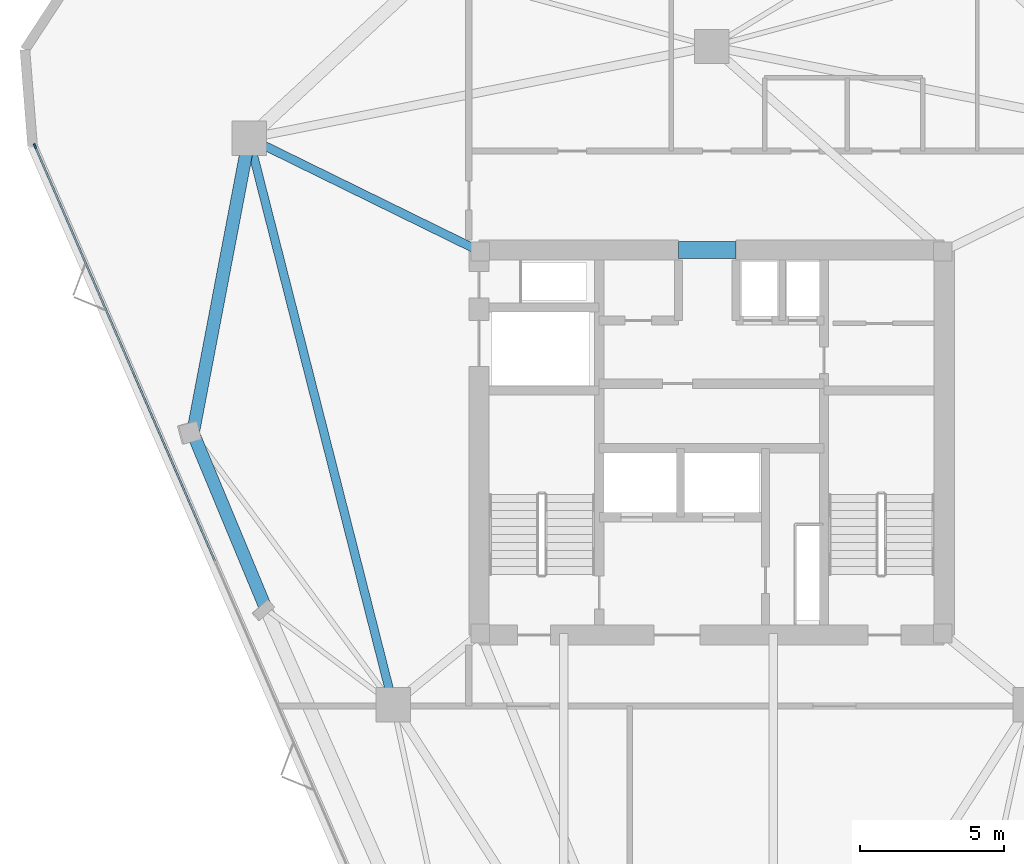
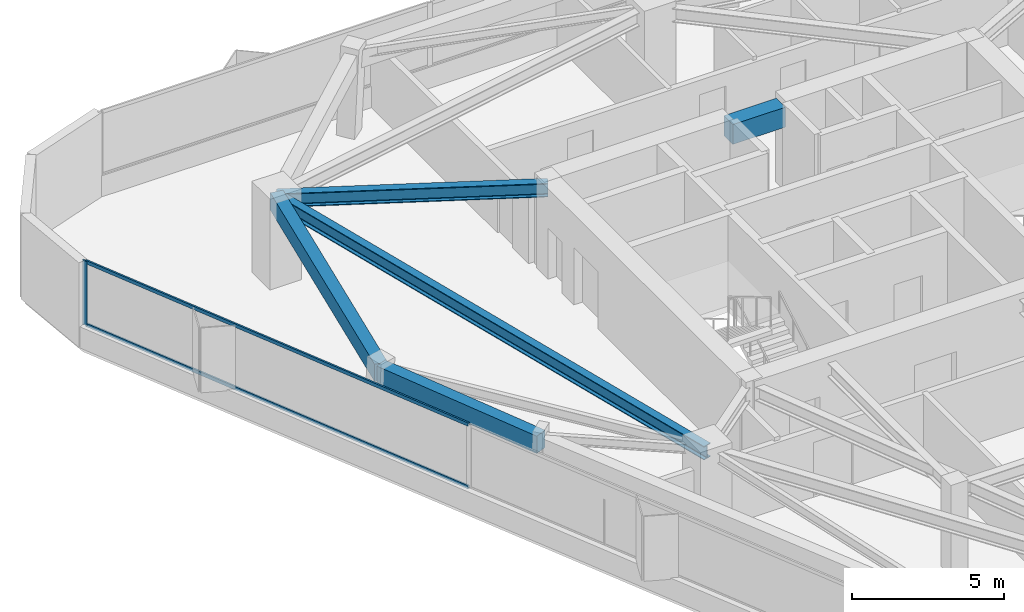
# One storey, part 5 of 11: 5 beams, 3 members, 1 element without a shape of its own.
"""IFC4 building model written with IfcOpenShell, lengths in metres."""

from ifc_helpers import new_model, si_unit, direction, frame, origin, origin_2d, place, context, subcontext, project, spatial, rectangle, i_section, extrude, material, layer, layer_set, material_profile, profile_set, type_object, element, aggregate, save


model = new_model("IFC4")

# Units and contexts
model_context = context("Model", 3, precision=1e-05, world=origin(), true_north=direction((0.0, 1.0)))
body_context = subcontext(model_context, "Body", "Model", "MODEL_VIEW")
ifc_project = project(units=[si_unit("LENGTHUNIT", "METRE"), si_unit("AREAUNIT", "SQUARE_METRE"), si_unit("VOLUMEUNIT", "CUBIC_METRE"), si_unit("PLANEANGLEUNIT", "RADIAN"), si_unit("MASSUNIT", "GRAM", prefix="KILO")], contexts=[model_context])

# Site, building, storey
site_placement = place(None, origin())
site = spatial("IfcSite", under=ifc_project, at=site_placement, CompositionType="ELEMENT")
building_placement = place(site_placement, origin())
building = spatial("IfcBuilding", under=site, at=building_placement, Name="Talyreon Biosciences Tower", CompositionType="ELEMENT")
storey_placement = place(building_placement, frame((0.0, 0.0, 235.25)))
storey = spatial("IfcBuildingStorey", under=building, at=storey_placement, Name="L62", CompositionType="ELEMENT", Elevation=235.25)

# Curtain wall, members
ifc_material_1 = material(Name="Thermally broken aluminium and low-E glazing", Category="aluminium")
ifc_layer = layer(ifc_material_1, 0.175048828125)
ifc_layer_set = layer_set([ifc_layer], Name="Thermally broken aluminium and low-E glazing")
curtain_wall_type = type_object("IfcCurtainWallType", Name="CurtainWall_Zone5CompLab", PredefinedType="NOTDEFINED", material=ifc_layer_set)
curtain_wall_placement = place(storey_placement, origin())
curtain_wall = element("IfcCurtainWall", 1, at=curtain_wall_placement, inside=storey, type_object=curtain_wall_type, Name="L62 Unitised Curtain Wall FCW-L62-00", PredefinedType="NOTDEFINED")
ifc_material_2 = material(Name="Anodised thermally broken aluminium", Category="aluminium")
ifc_material_profile_1 = material_profile(ifc_material_2, rectangle(XDim=0.06494140625, YDim=0.179931640625, at=origin_2d()), Name="ALUM MULLION 65x180")
ifc_profile_set_1 = profile_set([ifc_material_profile_1], Name="Anodised thermally broken aluminium")
member_type_1 = type_object("IfcMemberType", Name="CWMullion_65x180", PredefinedType="MULLION", material=ifc_profile_set_1)
member_1_placement = place(storey_placement, frame((42.4462890625, 78.31787109375, 0.81005859375), z_axis=(0.0, 0.0, 1.0), x_axis=(-0.917458244079, -0.397832088162, 0.0)))
member_1 = element("IfcMember", 2, at=member_1_placement, type_object=member_type_1, Name="CW6 mullion 4", PredefinedType="MULLION", context=body_context, shape_type="SweptSolid", body=[
    extrude(rectangle(XDim=0.06494140625, YDim=0.179931640625, at=origin_2d()), origin(), (0.0, 0.0, 1.0), 2.58984375),
])
ifc_material_profile_2 = material_profile(ifc_material_2, rectangle(XDim=0.06494140625, YDim=0.139892578125, at=origin_2d()), Name="ALUM TRANSOM 65x140")
ifc_profile_set_2 = profile_set([ifc_material_profile_2], Name="Anodised thermally broken aluminium")
member_type_2 = type_object("IfcMemberType", Name="CWTransom_65x140", PredefinedType="USERDEFINED", material=ifc_profile_set_2)
member_2_placement = place(storey_placement, frame((48.710205078125, 63.87255859375, 0.842529296875), z_axis=(-0.397835044798, 0.917456962004, 0.0), x_axis=(-0.917456962004, -0.397835044798, 0.0)))
member_2 = element("IfcMember", 3, at=member_2_placement, type_object=member_type_2, Name="CW6 transom 3.1", ObjectType="TRANSOM", PredefinedType="USERDEFINED", context=body_context, shape_type="SweptSolid", body=[
    extrude(rectangle(XDim=0.06494140625, YDim=0.139892578125, at=origin_2d()), origin(), (0.0, 0.0, 1.0), 15.71240234375),
])
member_3_placement = place(storey_placement, frame((48.710205078125, 63.87255859375, 3.367431640625), z_axis=(-0.397835044798, 0.917456962004, 0.0), x_axis=(-0.917456962004, -0.397835044798, 0.0)))
member_3 = element("IfcMember", 4, at=member_3_placement, type_object=member_type_2, Name="CW6 transom 3.2", ObjectType="TRANSOM", PredefinedType="USERDEFINED", context=body_context, shape_type="SweptSolid", body=[
    extrude(rectangle(XDim=0.06494140625, YDim=0.139892578125, at=origin_2d()), origin(), (0.0, 0.0, 1.0), 15.71240234375),
])
aggregate(curtain_wall, [member_1, member_2, member_3])

# Beams
ifc_material_3 = material(Name="Concrete C50/60", Category="concrete")
ifc_material_profile_3 = material_profile(ifc_material_3, rectangle(XDim=0.60009765625, YDim=0.800048828125, at=origin_2d()), Name="RCB 600x800")
ifc_profile_set_3 = profile_set([ifc_material_profile_3], Name="Concrete C50/60")
beam_type_1 = type_object("IfcBeamType", Name="CoreCouplingLintel_600x800", PredefinedType="LINTEL", material=ifc_profile_set_3)
beam_1_placement = place(storey_placement, frame((64.85009765625, 74.699951171875, 3.0), z_axis=(1.0, 0.0, 0.0), x_axis=(0.0, 1.0, 0.0)))
element("IfcBeam", 5, at=beam_1_placement, inside=storey, type_object=beam_type_1, Name="L62 Core Coupling Lintel", PredefinedType="LINTEL", context=body_context, shape_type="SweptSolid", body=[
    extrude(rectangle(XDim=0.60009765625, YDim=0.800048828125, at=origin_2d()), origin(), (0.0, 0.0, 1.0), 2.0),
])
ifc_material_4 = material(Name="Precast concrete C45/55", Category="concrete")
ifc_material_profile_4 = material_profile(ifc_material_4, rectangle(XDim=0.449951171875, YDim=0.699951171875, at=origin_2d()), Name="RCB 450x700")
ifc_profile_set_4 = profile_set([ifc_material_profile_4], Name="Precast concrete C45/55")
beam_type_2 = type_object("IfcBeamType", Name="ExpressedSpandrel_450x700", PredefinedType="SPANDREL", material=ifc_profile_set_4)
beam_2_placement = place(storey_placement, frame((49.897705078125, 78.5986328125, 3.050048828125), z_axis=(-0.186940385722, -0.982371259853, 0.0), x_axis=(0.982371259853, -0.186940385722, 0.0)))
element("IfcBeam", 6, at=beam_2_placement, inside=storey, type_object=beam_type_2, Name="L62 Expressed Horizontal Concrete Spandrel 09", PredefinedType="SPANDREL", context=body_context, shape_type="SweptSolid", body=[
    extrude(rectangle(XDim=0.449951171875, YDim=0.699951171875, at=origin_2d()), origin(), (0.0, 0.0, 1.0), 10.453125),
])
beam_3_placement = place(storey_placement, frame((47.943603515625, 68.329833984375, 3.050048828125), z_axis=(0.383988803498, -0.923337749033, 0.0), x_axis=(0.923337749033, 0.383988803498, 0.0)))
element("IfcBeam", 7, at=beam_3_placement, inside=storey, type_object=beam_type_2, Name="L62 Expressed Horizontal Concrete Spandrel 10", PredefinedType="SPANDREL", context=body_context, shape_type="SweptSolid", body=[
    extrude(rectangle(XDim=0.449951171875, YDim=0.699951171875, at=origin_2d()), origin(), (0.0, 0.0, 1.0), 6.640869140625),
])
ifc_material_5 = material(Name="Steel SM355", Category="steel")
ifc_material_profile_5 = material_profile(ifc_material_5, i_section(OverallWidth=0.300048828125, OverallDepth=0.550048828125, WebThickness=0.014892578125, FlangeThickness=0.029052734375, FilletRadius=0.027099609375, at=origin_2d()), Name="HE550B")
ifc_profile_set_5 = profile_set([ifc_material_profile_5], Name="Steel SM355")
beam_type_3 = type_object("IfcBeamType", Name="SteelBeam_HE550B", PredefinedType="BEAM", material=ifc_profile_set_5)
beam_4_placement = place(storey_placement, frame((49.897705078125, 78.5986328125, 3.125), z_axis=(0.246537082299, -0.969133358755, 0.0), x_axis=(0.969133358755, 0.246537082299, 0.0)))
element("IfcBeam", 8, at=beam_4_placement, inside=storey, type_object=beam_type_3, Name="L62 Mega-Ring Girder 5", PredefinedType="BEAM", context=body_context, shape_type="SweptSolid", body=[
    extrude(i_section(OverallWidth=0.300048828125, OverallDepth=0.550048828125, WebThickness=0.014892578125, FlangeThickness=0.029052734375, FilletRadius=0.027099609375, at=origin_2d()), origin(), (0.0, 0.0, 1.0), 20.34619140625),
])
beam_5_placement = place(storey_placement, frame((57.949951171875, 74.64990234375, 3.125), z_axis=(-0.897852360314, 0.440296648952, 0.0), x_axis=(-0.440296648952, -0.897852360314, 0.0)))
element("IfcBeam", 9, at=beam_5_placement, inside=storey, type_object=beam_type_3, Name="L62 Radial Primary Girder 5", PredefinedType="BEAM", context=body_context, shape_type="SweptSolid", body=[
    extrude(i_section(OverallWidth=0.300048828125, OverallDepth=0.550048828125, WebThickness=0.014892578125, FlangeThickness=0.029052734375, FilletRadius=0.027099609375, at=origin_2d()), origin(), (0.0, 0.0, 1.0), 8.96826171875),
])

save(model, "model.ifc")
